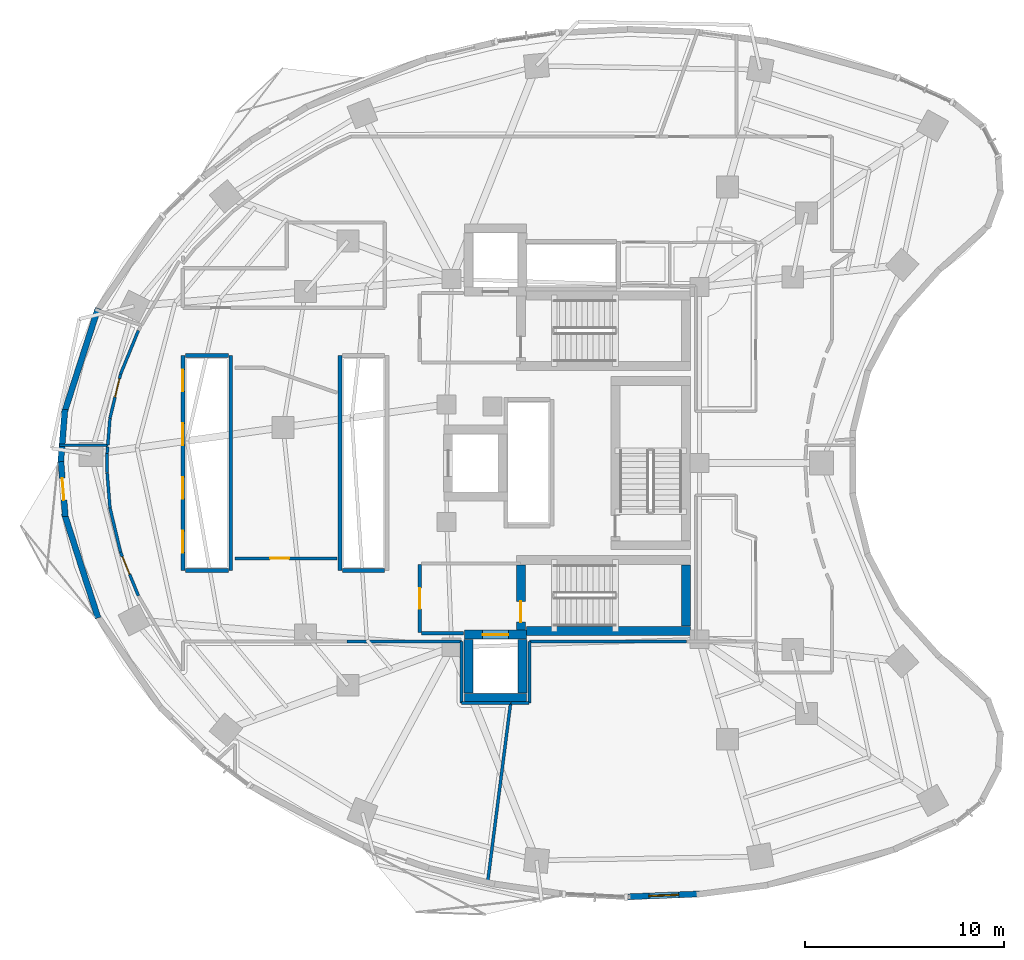
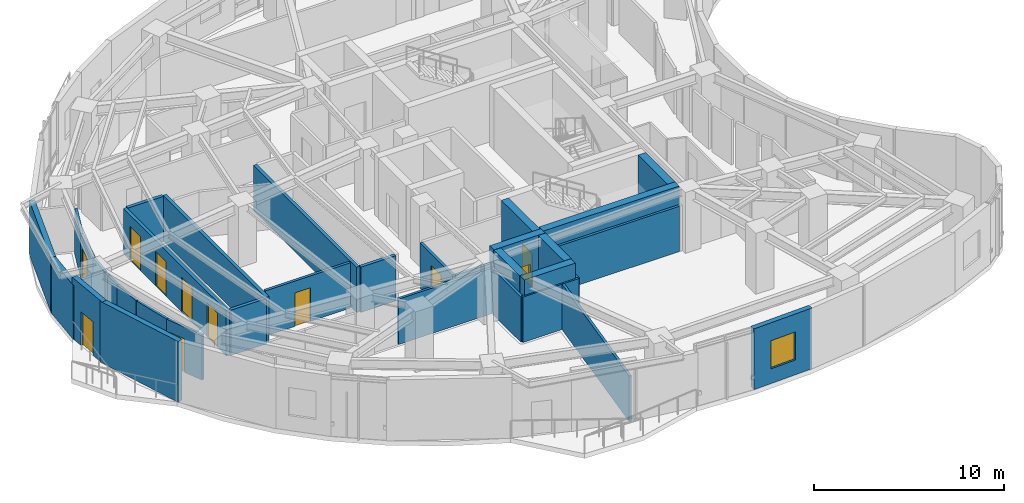
# One storey, part 7 of 13: 37 walls, 11 doors, 1 window, 12 openings.
"""IFC4 building model written with IfcOpenShell, lengths in metres."""

from ifc_helpers import new_model, si_unit, direction, frame, frame_2d, origin, place, context, subcontext, project, spatial, rectangle, extrude, material, layer, layer_set, type_object, element, fill, save


model = new_model("IFC4")

# Units and contexts
model_context = context("Model", 3, precision=1e-05, world=origin(), true_north=direction((0.0, 1.0)))
body_context = subcontext(model_context, "Body", "Model", "MODEL_VIEW")
ifc_project = project(units=[si_unit("LENGTHUNIT", "METRE"), si_unit("AREAUNIT", "SQUARE_METRE"), si_unit("VOLUMEUNIT", "CUBIC_METRE"), si_unit("PLANEANGLEUNIT", "RADIAN"), si_unit("MASSUNIT", "GRAM", prefix="KILO")], contexts=[model_context])

# Site, building, storey
site_placement = place(None, origin())
site = spatial("IfcSite", under=ifc_project, at=site_placement, CompositionType="ELEMENT")
building_placement = place(site_placement, origin())
building = spatial("IfcBuilding", under=site, at=building_placement, Name="Korentha Bioscience Tower", CompositionType="ELEMENT")
storey_placement = place(building_placement, frame((0.0, 0.0, 123.60009765625)))
storey = spatial("IfcBuildingStorey", under=building, at=storey_placement, Name="L28", CompositionType="ELEMENT", Elevation=123.60009765625)

# Wall, opening, door
ifc_material_1 = material(Name="Double-Stud Acoustic Gypsum", Category="gypsum")
ifc_layer_1 = layer(ifc_material_1, 0.14990234375, Name="Double-Stud Acoustic Gypsum")
ifc_layer_set_1 = layer_set([ifc_layer_1], Name="Double-Stud Acoustic Gypsum (IW-L150)")
wall_type_1 = type_object("IfcWallType", Name="Acoustic Laboratory Partition Wall 150", PredefinedType="PARTITIONING", material=ifc_layer_set_1)
wall_1_placement = place(storey_placement, frame((8.46630859375, 22.520263671875, 0.0), z_axis=(0.0, 0.0, 1.0), x_axis=(0.378306283753, -0.925680482495, 0.0)))
wall_1 = element("IfcWall", 1, at=wall_1_placement, inside=storey, type_object=wall_type_1, Name="L28 Biomechanical Motion Analysis Lab 02 Entrance Wall", PredefinedType="PARTITIONING", context=body_context, shape_type="SweptSolid", body=[
    extrude(rectangle(XDim=2.358154296875, YDim=0.14990234375, at=frame_2d((1.17919921875, 0.0))), origin(), (0.0, 0.0, 1.0), 2.909912109375),
])
opening_1_placement = place(wall_1_placement, frame((0.239990234375, 0.0, 0.0)))
opening_1 = element("IfcOpeningElement", 2, at=opening_1_placement, cuts=wall_1, Name="Opening ID-10L", PredefinedType="OPENING", context=body_context, shape_type="SweptSolid", body=[
    extrude(rectangle(XDim=0.949951171875, YDim=2.14990234375, at=frame_2d((0.47509765625, 1.074951171875))), frame((0.0, 0.08984375, 0.0), z_axis=(0.0, -1.0, 0.0), x_axis=(1.0, 0.0, 0.0)), (0.0, 0.0, 1.0), 0.1796875),
])
ifc_material_2 = material(Name="Phenolic Laminate Timber Core", Category="wood")
door_type_1 = type_object("IfcDoorType", Name="Laboratory Single Leaf Door 950x2150 Left", OperationType="SINGLE_SWING_LEFT", PredefinedType="DOOR", material=ifc_material_2)
door_1_placement = place(opening_1_placement, origin())
door_1 = element("IfcDoor", 3, at=door_1_placement, inside=storey, type_object=door_type_1, Name="L28 Biomechanical Motion Analysis Lab 02 Door", OperationType="SINGLE_SWING_LEFT", OverallHeight=2.14990234375, OverallWidth=0.949951171875, PredefinedType="DOOR", context=body_context, shape_type="SweptSolid", body=[
    extrude(rectangle(XDim=0.949951171875, YDim=2.14990234375, at=frame_2d((0.47509765625, 1.074951171875))), frame((0.0, 0.02490234375, 0.0), z_axis=(0.0, -1.0, 0.0), x_axis=(1.0, 0.0, 0.0)), (0.0, 0.0, 1.0), 0.050048828125),
])
fill(opening_1, door_1)

wall_2_placement = place(storey_placement, frame((8.4658203125, 31.478515625, 0.0), z_axis=(0.0, 0.0, 1.0), x_axis=(-0.233675196412, -0.972314713754, 0.0)))
wall_2 = element("IfcWall", 4, at=wall_2_placement, inside=storey, type_object=wall_type_1, Name="L28 Engineered Bio-Foundry Wet Lab 10 Entrance Wall", PredefinedType="PARTITIONING", context=body_context, shape_type="SweptSolid", body=[
    extrude(rectangle(XDim=2.291259765625, YDim=0.14990234375, at=frame_2d((1.1455078125, 0.0))), origin(), (0.0, 0.0, 1.0), 2.909912109375),
])
opening_2_placement = place(wall_2_placement, frame((0.239990234375, 0.0, 0.0)))
opening_2 = element("IfcOpeningElement", 5, at=opening_2_placement, cuts=wall_2, Name="Opening ID-10L", PredefinedType="OPENING", context=body_context, shape_type="SweptSolid", body=[
    extrude(rectangle(XDim=0.949951171875, YDim=2.14990234375, at=frame_2d((0.47509765625, 1.074951171875))), frame((0.0, 0.08984375, 0.0), z_axis=(0.0, -1.0, 0.0), x_axis=(1.0, 0.0, 0.0)), (0.0, 0.0, 1.0), 0.1796875),
])
door_2_placement = place(opening_2_placement, origin())
door_2 = element("IfcDoor", 6, at=door_2_placement, inside=storey, type_object=door_type_1, Name="L28 Engineered Bio-Foundry Wet Lab 10 Door", OperationType="SINGLE_SWING_LEFT", OverallHeight=2.14990234375, OverallWidth=0.949951171875, PredefinedType="DOOR", context=body_context, shape_type="SweptSolid", body=[
    extrude(rectangle(XDim=0.949951171875, YDim=2.14990234375, at=frame_2d((0.47509765625, 1.074951171875))), frame((0.0, 0.02490234375, 0.0), z_axis=(0.0, -1.0, 0.0), x_axis=(1.0, 0.0, 0.0)), (0.0, 0.0, 1.0), 0.050048828125),
])
fill(opening_2, door_2)

# Walls
wall_3_placement = place(storey_placement, frame((5.40625, 27.89794921875, 0.0), z_axis=(0.0, 0.0, 1.0), x_axis=(1.0, 0.0, 0.0)))
element("IfcWall", 7, at=wall_3_placement, inside=storey, type_object=wall_type_1, Name="L28 Interior Partition 016", PredefinedType="PARTITIONING", context=body_context, shape_type="SweptSolid", body=[
    extrude(rectangle(XDim=2.416748046875, YDim=0.14990234375, at=frame_2d((1.20849609375, 0.0))), origin(), (0.0, 0.0, 1.0), 2.909912109375),
])
wall_4_placement = place(storey_placement, frame((7.816650390625, 27.820068359375, 0.0), z_axis=(0.0, 0.0, 1.0), x_axis=(-0.078910750646, -0.996881684771, 0.0)))
element("IfcWall", 8, at=wall_4_placement, inside=storey, type_object=wall_type_1, Name="L28 Interior Partition 017", PredefinedType="PARTITIONING", context=body_context, shape_type="SweptSolid", body=[
    extrude(rectangle(XDim=0.337158203125, YDim=0.14990234375, at=frame_2d((0.16845703125, 0.0))), origin(), (0.0, 0.0, 1.0), 2.909912109375),
])
wall_5_placement = place(storey_placement, frame((7.7900390625, 27.48291015625, 0.0), z_axis=(0.0, 0.0, 1.0), x_axis=(0.0, -1.0, 0.0)))
element("IfcWall", 9, at=wall_5_placement, inside=storey, type_object=wall_type_1, Name="L28 Interior Partition 018", PredefinedType="PARTITIONING", context=body_context, shape_type="SweptSolid", body=[
    extrude(rectangle(XDim=0.9658203125, YDim=0.14990234375, at=frame_2d((0.48291015625, 0.0))), origin(), (0.0, 0.0, 1.0), 2.909912109375),
])
wall_6_placement = place(storey_placement, frame((7.7900390625, 26.51611328125, 0.0), z_axis=(0.0, 0.0, 1.0), x_axis=(0.079131522864, -0.996864184375, 0.0)))
element("IfcWall", 10, at=wall_6_placement, inside=storey, type_object=wall_type_1, Name="L28 Interior Partition 019", PredefinedType="PARTITIONING", context=body_context, shape_type="SweptSolid", body=[
    extrude(rectangle(XDim=1.77099609375, YDim=0.14990234375, at=frame_2d((0.885498046875, 0.0))), origin(), (0.0, 0.0, 1.0), 2.909912109375),
])
wall_7_placement = place(storey_placement, frame((7.930419921875, 24.749267578125, 0.0), z_axis=(0.0, 0.0, 1.0), x_axis=(0.233675196412, -0.972314713754, 0.0)))
element("IfcWall", 11, at=wall_7_placement, inside=storey, type_object=wall_type_1, Name="L28 Interior Partition 020", PredefinedType="PARTITIONING", context=body_context, shape_type="SweptSolid", body=[
    extrude(rectangle(XDim=2.291259765625, YDim=0.14990234375, at=frame_2d((1.1455078125, 0.0))), origin(), (0.0, 0.0, 1.0), 2.909912109375),
])
wall_8_placement = place(storey_placement, frame((19.84130859375, 18.048095703125, 0.0), z_axis=(0.0, 0.0, 1.0), x_axis=(1.0, 0.0, 0.0)))
element("IfcWall", 12, at=wall_8_placement, inside=storey, type_object=wall_type_1, Name="L28 Interior Partition 025", PredefinedType="PARTITIONING", context=body_context, shape_type="SweptSolid", body=[
    extrude(rectangle(XDim=5.758544921875, YDim=0.14990234375, at=frame_2d((2.87939453125, 0.0))), origin(), (0.0, 0.0, 1.0), 2.909912109375),
])
wall_9_placement = place(storey_placement, frame((25.60009765625, 18.0478515625, 0.0), z_axis=(0.0, 0.0, 1.0), x_axis=(0.0, -1.0, 0.0)))
element("IfcWall", 13, at=wall_9_placement, inside=storey, type_object=wall_type_1, Name="L28 Interior Partition 026", PredefinedType="PARTITIONING", context=body_context, shape_type="SweptSolid", body=[
    extrude(rectangle(XDim=3.09375, YDim=0.14990234375, at=frame_2d((1.546875, 0.0))), origin(), (0.0, 0.0, 1.0), 2.909912109375),
])
wall_10_placement = place(storey_placement, frame((25.60400390625, 14.949951171875, 0.0), z_axis=(0.0, 0.0, 1.0), x_axis=(1.0, 0.0, 0.0)))
element("IfcWall", 14, at=wall_10_placement, inside=storey, type_object=wall_type_1, Name="L28 Interior Partition 027", PredefinedType="PARTITIONING", context=body_context, shape_type="SweptSolid", body=[
    extrude(rectangle(XDim=2.4580078125, YDim=0.14990234375, at=frame_2d((1.22900390625, 0.0))), origin(), (0.0, 0.0, 1.0), 2.909912109375),
])
wall_11_placement = place(storey_placement, frame((28.06201171875, 14.94970703125, 0.0), z_axis=(0.0, 0.0, 1.0), x_axis=(-0.12706608802, -0.991894253071, 0.0)))
element("IfcWall", 15, at=wall_11_placement, inside=storey, type_object=wall_type_1, Name="L28 Interior Partition 028", PredefinedType="PARTITIONING", context=body_context, shape_type="SweptSolid", body=[
    extrude(rectangle(XDim=9.216796875, YDim=0.14990234375, at=frame_2d((4.6083984375, 0.0))), origin(), (0.0, 0.0, 1.0), 2.909912109375),
])
wall_12_placement = place(storey_placement, frame((29.0, 14.9541015625, 0.0), z_axis=(0.0, 0.0, 1.0), x_axis=(0.0, 1.0, 0.0)))
element("IfcWall", 16, at=wall_12_placement, inside=storey, type_object=wall_type_1, Name="L28 Interior Partition 031", PredefinedType="PARTITIONING", context=body_context, shape_type="SweptSolid", body=[
    extrude(rectangle(XDim=3.09375, YDim=0.14990234375, at=frame_2d((1.546875, 0.0))), origin(), (0.0, 0.0, 1.0), 2.909912109375),
])
wall_13_placement = place(storey_placement, frame((29.0, 18.048095703125, 0.0), z_axis=(0.0, 0.0, 1.0), x_axis=(1.0, 0.0, 0.0)))
element("IfcWall", 17, at=wall_13_placement, inside=storey, type_object=wall_type_1, Name="L28 Interior Partition 032", PredefinedType="PARTITIONING", context=body_context, shape_type="SweptSolid", body=[
    extrude(rectangle(XDim=7.906005859375, YDim=0.14990234375, at=frame_2d((3.953125, 0.0))), origin(), (0.0, 0.0, 1.0), 2.909912109375),
])
wall_14_placement = place(storey_placement, frame((28.072021484375, 14.949951171875, 0.0), z_axis=(0.0, 0.0, 1.0), x_axis=(1.0, 0.0, 0.0)))
element("IfcWall", 18, at=wall_14_placement, inside=storey, type_object=wall_type_1, Name="L28 Interior Partition 043", PredefinedType="PARTITIONING", context=body_context, shape_type="SweptSolid", body=[
    extrude(rectangle(XDim=0.923828125, YDim=0.14990234375, at=frame_2d((0.4619140625, 0.0))), origin(), (0.0, 0.0, 1.0), 2.909912109375),
])
wall_15_placement = place(storey_placement, frame((9.3583984375, 33.66259765625, 0.0), z_axis=(0.0, 0.0, 1.0), x_axis=(-0.378306283753, -0.925680482495, 0.0)))
element("IfcWall", 19, at=wall_15_placement, inside=storey, type_object=wall_type_1, Name="L28 Interior Partition 082", PredefinedType="PARTITIONING", context=body_context, shape_type="SweptSolid", body=[
    extrude(rectangle(XDim=2.358154296875, YDim=0.14990234375, at=frame_2d((1.17919921875, 0.0))), origin(), (0.0, 0.0, 1.0), 2.909912109375),
])
wall_16_placement = place(storey_placement, frame((7.93017578125, 29.249267578125, 0.0), z_axis=(0.0, 0.0, 1.0), x_axis=(-0.079110576853, -0.996865846857, 0.0)))
element("IfcWall", 20, at=wall_16_placement, inside=storey, type_object=wall_type_1, Name="L28 Interior Partition 083", PredefinedType="PARTITIONING", context=body_context, shape_type="SweptSolid", body=[
    extrude(rectangle(XDim=1.345458984375, YDim=0.14990234375, at=frame_2d((0.6728515625, 0.0))), origin(), (0.0, 0.0, 1.0), 2.909912109375),
])

# Wall, opening, door
ifc_material_3 = material(Name="Gypsum-Clad Steel Stud", Category="steel")
ifc_layer_2 = layer(ifc_material_3, 0.159912109375, Name="Gypsum-Clad Steel Stud")
ifc_layer_set_2 = layer_set([ifc_layer_2], Name="Gypsum-Clad Steel Stud (IW-C160)")
wall_type_2 = type_object("IfcWallType", Name="Fire-Rated Corridor Partition Wall 160", PredefinedType="PARTITIONING", material=ifc_layer_set_2)
wall_17_placement = place(storey_placement, frame((23.5, 18.5, 0.0), z_axis=(0.0, 0.0, 1.0), x_axis=(0.0, 1.0, 0.0)))
wall_17 = element("IfcWall", 21, at=wall_17_placement, inside=storey, type_object=wall_type_2, Name="L28 FFLS-CW Rated Enclosure Wall", PredefinedType="PARTITIONING", context=body_context, shape_type="SweptSolid", body=[
    extrude(rectangle(XDim=3.39990234375, YDim=0.159912109375, at=frame_2d((1.699951171875, 0.0))), origin(), (0.0, 0.0, 1.0), 2.909912109375),
])
opening_3_placement = place(wall_17_placement, frame((1.175048828125, 0.0, 0.0)))
opening_3 = element("IfcOpeningElement", 22, at=opening_3_placement, cuts=wall_17, Name="Opening FD-90L", PredefinedType="OPENING", context=body_context, shape_type="SweptSolid", body=[
    extrude(rectangle(XDim=1.050048828125, YDim=2.14990234375, at=frame_2d((0.52490234375, 1.074951171875))), frame((0.0, 0.0947265625, 0.0), z_axis=(0.0, -1.0, 0.0), x_axis=(1.0, 0.0, 0.0)), (0.0, 0.0, 1.0), 0.189697265625),
])
ifc_material_4 = material(Name="Powder-Coated Fire-Rated Steel", Category="steel")
door_type_2 = type_object("IfcDoorType", Name="Stairwell Fire Exit Door 1050x2150 Left", OperationType="SINGLE_SWING_LEFT", PredefinedType="DOOR", material=ifc_material_4)
door_3_placement = place(opening_3_placement, origin())
door_3 = element("IfcDoor", 23, at=door_3_placement, inside=storey, type_object=door_type_2, Name="L28 South Firefighting Lobby Door", OperationType="SINGLE_SWING_LEFT", OverallHeight=2.14990234375, OverallWidth=1.050048828125, PredefinedType="DOOR", context=body_context, shape_type="SweptSolid", body=[
    extrude(rectangle(XDim=1.050048828125, YDim=2.14990234375, at=frame_2d((0.52490234375, 1.074951171875))), frame((0.0, 0.02490234375, 0.0), z_axis=(0.0, -1.0, 0.0), x_axis=(1.0, 0.0, 0.0)), (0.0, 0.0, 1.0), 0.050048828125),
])
fill(opening_3, door_3)

# Wall
wall_18_placement = place(storey_placement, frame((23.580078125, 18.449951171875, 0.0), z_axis=(0.0, 0.0, 1.0), x_axis=(1.0, 0.0, 0.0)))
element("IfcWall", 24, at=wall_18_placement, inside=storey, type_object=wall_type_2, Name="L28 Firefighting Lobby Return Wall FFLS-S", PredefinedType="PARTITIONING", context=body_context, shape_type="SweptSolid", body=[
    extrude(rectangle(XDim=2.119873046875, YDim=0.159912109375, at=frame_2d((1.06005859375, 0.0))), origin(), (0.0, 0.0, 1.0), 2.909912109375),
])

# Wall, opening, door
wall_19_placement = place(storey_placement, frame((19.340087890625, 22.2099609375, 0.0), z_axis=(0.0, 0.0, 1.0), x_axis=(-1.0, 0.0, 0.0)))
wall_19 = element("IfcWall", 25, at=wall_19_placement, inside=storey, type_object=wall_type_2, Name="L28 Biospecimen Archive Store 01 Entrance Wall", PredefinedType="PARTITIONING", context=body_context, shape_type="SweptSolid", body=[
    extrude(rectangle(XDim=5.13818359375, YDim=0.159912109375, at=frame_2d((2.569091796875, 0.0))), origin(), (0.0, 0.0, 1.0), 2.909912109375),
])
opening_4_placement = place(wall_19_placement, frame((2.40625, 0.0, 0.0)))
opening_4 = element("IfcOpeningElement", 26, at=opening_4_placement, cuts=wall_19, Name="Opening ID-10R", PredefinedType="OPENING", context=body_context, shape_type="SweptSolid", body=[
    extrude(rectangle(XDim=0.949951171875, YDim=2.14990234375, at=frame_2d((0.47509765625, 1.074951171875))), frame((0.0, 0.0947265625, 0.0), z_axis=(0.0, -1.0, 0.0), x_axis=(1.0, 0.0, 0.0)), (0.0, 0.0, 1.0), 0.189697265625),
])
door_type_3 = type_object("IfcDoorType", Name="Laboratory Single Leaf Door 950x2150 Right", OperationType="SINGLE_SWING_RIGHT", PredefinedType="DOOR", material=ifc_material_2)
door_4_placement = place(opening_4_placement, origin())
door_4 = element("IfcDoor", 27, at=door_4_placement, inside=storey, type_object=door_type_3, Name="L28 Biospecimen Archive Store 01 Door", OperationType="SINGLE_SWING_RIGHT", OverallHeight=2.14990234375, OverallWidth=0.949951171875, PredefinedType="DOOR", context=body_context, shape_type="SweptSolid", body=[
    extrude(rectangle(XDim=0.949951171875, YDim=2.14990234375, at=frame_2d((0.47509765625, 1.074951171875))), frame((0.0, 0.02490234375, 0.0), z_axis=(0.0, -1.0, 0.0), x_axis=(1.0, 0.0, 0.0)), (0.0, 0.0, 1.0), 0.050048828125),
])
fill(opening_4, door_4)

ifc_material_5 = material(Name="Honed Limestone Precast Concrete C40", Category="masonry")
ifc_layer_3 = layer(ifc_material_5, 0.300048828125, Name="Honed Limestone Precast Concrete C40")
ifc_layer_set_3 = layer_set([ifc_layer_3], Name="Honed Limestone Precast Concrete C40 (EW-ST300)")
wall_type_3 = type_object("IfcWallType", Name="Honed Limestone Cavity Spandrel Wall 300", PredefinedType="STANDARD", material=ifc_layer_set_3)
wall_20_placement = place(storey_placement, frame((5.46875, 27.072509765625, 0.0), z_axis=(0.0, 0.0, 1.0), x_axis=(0.079056321743, -0.996870151019, 0.0)))
wall_20 = element("IfcWall", 28, at=wall_20_placement, inside=storey, type_object=wall_type_3, Name="L28 Balcony Threshold Wall 02", PredefinedType="STANDARD", context=body_context, shape_type="SweptSolid", body=[
    extrude(rectangle(XDim=2.7607421875, YDim=0.300048828125, at=frame_2d((1.38037109375, 0.0))), origin(), (0.0, 0.0, 1.0), 3.89990234375),
])
opening_5_placement = place(wall_20_placement, frame((0.830322265625, 0.0, 0.0)))
opening_5 = element("IfcOpeningElement", 29, at=opening_5_placement, cuts=wall_20, Name="Opening BD-11R", PredefinedType="OPENING", context=body_context, shape_type="SweptSolid", body=[
    extrude(rectangle(XDim=1.10009765625, YDim=2.14990234375, at=frame_2d((0.550048828125, 1.074951171875))), frame((0.0, 0.1650390625, 0.0), z_axis=(0.0, -1.0, 0.0), x_axis=(1.0, 0.0, 0.0)), (0.0, 0.0, 1.0), 0.329833984375),
])
ifc_material_6 = material(Name="Thermally Broken Glazed Aluminium", Category="aluminium")
door_type_4 = type_object("IfcDoorType", Name="Balcony Terrace Glazed Door 1100x2150 Right", OperationType="SINGLE_SWING_RIGHT", PredefinedType="DOOR", material=ifc_material_6)
door_5_placement = place(opening_5_placement, origin())
door_5 = element("IfcDoor", 30, at=door_5_placement, inside=storey, type_object=door_type_4, Name="L28 Balcony Access Door 02", OperationType="SINGLE_SWING_RIGHT", OverallHeight=2.14990234375, OverallWidth=1.10009765625, PredefinedType="DOOR", context=body_context, shape_type="SweptSolid", body=[
    extrude(rectangle(XDim=1.10009765625, YDim=2.14990234375, at=frame_2d((0.550048828125, 1.074951171875))), frame((0.0, 0.02490234375, 0.0), z_axis=(0.0, -1.0, 0.0), x_axis=(1.0, 0.0, 0.0)), (0.0, 0.0, 1.0), 0.050048828125),
])
fill(opening_5, door_5)

# Wall, opening, window
wall_21_placement = place(storey_placement, frame((33.961181640625, 5.210205078125, 0.0), z_axis=(0.0, 0.0, 1.0), x_axis=(0.999210691503, 0.039723972445, 0.0)))
wall_21 = element("IfcWall", 31, at=wall_21_placement, inside=storey, type_object=wall_type_3, Name="L28 Honed Limestone Spandrel Wall 32", PredefinedType="STANDARD", context=body_context, shape_type="SweptSolid", body=[
    extrude(rectangle(XDim=3.595458984375, YDim=0.300048828125, at=frame_2d((1.7978515625, 0.0))), origin(), (0.0, 0.0, 1.0), 3.89990234375),
])
opening_6_placement = place(wall_21_placement, frame((1.047607421875, 0.0, 0.949951171875)))
opening_6 = element("IfcOpeningElement", 32, at=opening_6_placement, cuts=wall_21, Name="Opening WN-02", PredefinedType="OPENING", context=body_context, shape_type="SweptSolid", body=[
    extrude(rectangle(XDim=1.5, YDim=1.800048828125, at=frame_2d((0.75, 0.89990234375))), frame((0.0, 0.1650390625, 0.0), z_axis=(0.0, -1.0, 0.0), x_axis=(1.0, 0.0, 0.0)), (0.0, 0.0, 1.0), 0.329833984375),
])
ifc_material_7 = material(Name="Thermally Broken Aluminium Triple Glazing", Category="aluminium")
window_type = type_object("IfcWindowType", Name="Acoustic Operable Office Window 1500x1800", PartitioningType="DOUBLE_PANEL_VERTICAL", PredefinedType="WINDOW", material=ifc_material_7)
window_placement = place(opening_6_placement, origin())
window = element("IfcWindow", 33, at=window_placement, inside=storey, type_object=window_type, Name="L28 Facade Window 32", OverallHeight=1.800048828125, OverallWidth=1.5, PartitioningType="DOUBLE_PANEL_VERTICAL", PredefinedType="WINDOW", context=body_context, shape_type="SweptSolid", body=[
    extrude(rectangle(XDim=1.5, YDim=1.800048828125, at=frame_2d((0.75, 0.89990234375))), frame((0.0, 0.030029296875, 0.0), z_axis=(0.0, -1.0, 0.0), x_axis=(1.0, 0.0, 0.0)), (0.0, 0.0, 1.0), 0.06005859375),
])
fill(opening_6, window)

# Walls
wall_22_placement = place(storey_placement, frame((7.333984375, 34.779296875, 0.0), z_axis=(0.0, 0.0, 1.0), x_axis=(-0.307599470659, -0.951515930319, 0.0)))
element("IfcWall", 34, at=wall_22_placement, inside=storey, type_object=wall_type_3, Name="L28 Limestone Perimeter Closure Wall 16", PredefinedType="STANDARD", context=body_context, shape_type="SweptSolid", body=[
    extrude(rectangle(XDim=5.534423828125, YDim=0.300048828125, at=frame_2d((2.76708984375, 0.0))), origin(), (0.0, 0.0, 1.0), 3.469970703125),
])
wall_23_placement = place(storey_placement, frame((5.668701171875, 29.701171875, 0.0), z_axis=(0.0, 0.0, 1.0), x_axis=(-0.079062676622, -0.996869647028, 0.0)))
element("IfcWall", 35, at=wall_23_placement, inside=storey, type_object=wall_type_3, Name="L28 Limestone Perimeter Closure Wall 18", PredefinedType="STANDARD", context=body_context, shape_type="SweptSolid", body=[
    extrude(rectangle(XDim=2.80078125, YDim=0.300048828125, at=frame_2d((1.400390625, 0.0))), origin(), (0.0, 0.0, 1.0), 3.469970703125),
])
wall_24_placement = place(storey_placement, frame((5.631591796875, 24.48681640625, 0.0), z_axis=(0.0, 0.0, 1.0), x_axis=(0.307599470659, -0.951515930319, 0.0)))
element("IfcWall", 36, at=wall_24_placement, inside=storey, type_object=wall_type_3, Name="L28 Limestone Perimeter Closure Wall 20", PredefinedType="STANDARD", context=body_context, shape_type="SweptSolid", body=[
    extrude(rectangle(XDim=5.534423828125, YDim=0.300048828125, at=frame_2d((2.76708984375, 0.0))), origin(), (0.0, 0.0, 1.0), 3.89990234375),
])

# Wall, openings, doors
ifc_material_8 = material(Name="Autoclaved Aerated Concrete Block C25", Category="concrete")
ifc_layer_4 = layer(ifc_material_8, 0.199951171875, Name="Autoclaved Aerated Concrete Block C25")
ifc_layer_set_4 = layer_set([ifc_layer_4], Name="Autoclaved Aerated Concrete Block C25 (IW-S200)")
wall_type_4 = type_object("IfcWallType", Name="Lift and Riser Shaft Enclosure Wall 200", PredefinedType="PARTITIONING", material=ifc_layer_set_4)
wall_25_placement = place(storey_placement, frame((11.60009765625, 21.60009765625, 0.0), z_axis=(0.0, 0.0, 1.0), x_axis=(0.0, 1.0, 0.0)))
wall_25 = element("IfcWall", 37, at=wall_25_placement, inside=storey, type_object=wall_type_4, Name="L28 Lift Bank LOW Shaft Wall -X", PredefinedType="PARTITIONING", context=body_context, shape_type="SweptSolid", body=[
    extrude(rectangle(XDim=10.7998046875, YDim=0.199951171875, at=frame_2d((5.39990234375, 0.0))), origin(), (0.0, 0.0, 1.0), 2.909912109375),
])
opening_7_placement = place(wall_25_placement, frame((0.89990234375, 0.0, 0.0)))
opening_7 = element("IfcOpeningElement", 38, at=opening_7_placement, cuts=wall_25, Name="Opening LD-11", PredefinedType="OPENING", context=body_context, shape_type="SweptSolid", body=[
    extrude(rectangle(XDim=1.10009765625, YDim=2.199951171875, at=frame_2d((0.550048828125, 1.10009765625))), frame((0.0, 0.11474609375, 0.0), z_axis=(0.0, -1.0, 0.0), x_axis=(1.0, 0.0, 0.0)), (0.0, 0.0, 1.0), 0.229736328125),
])
opening_8_placement = place(wall_25_placement, frame((3.60009765625, 0.0, 0.0)))
opening_8 = element("IfcOpeningElement", 39, at=opening_8_placement, cuts=wall_25, Name="Opening LD-11", PredefinedType="OPENING", context=body_context, shape_type="SweptSolid", body=[
    extrude(rectangle(XDim=1.10009765625, YDim=2.199951171875, at=frame_2d((0.550048828125, 1.10009765625))), frame((0.0, 0.11474609375, 0.0), z_axis=(0.0, -1.0, 0.0), x_axis=(1.0, 0.0, 0.0)), (0.0, 0.0, 1.0), 0.229736328125),
])
opening_9_placement = place(wall_25_placement, frame((6.300048828125, 0.0, 0.0)))
opening_9 = element("IfcOpeningElement", 40, at=opening_9_placement, cuts=wall_25, Name="Opening LD-11", PredefinedType="OPENING", context=body_context, shape_type="SweptSolid", body=[
    extrude(rectangle(XDim=1.10009765625, YDim=2.199951171875, at=frame_2d((0.550048828125, 1.10009765625))), frame((0.0, 0.11474609375, 0.0), z_axis=(0.0, -1.0, 0.0), x_axis=(1.0, 0.0, 0.0)), (0.0, 0.0, 1.0), 0.229736328125),
])
opening_10_placement = place(wall_25_placement, frame((9.0, 0.0, 0.0)))
opening_10 = element("IfcOpeningElement", 41, at=opening_10_placement, cuts=wall_25, Name="Opening LD-11", PredefinedType="OPENING", context=body_context, shape_type="SweptSolid", body=[
    extrude(rectangle(XDim=1.10009765625, YDim=2.199951171875, at=frame_2d((0.550048828125, 1.10009765625))), frame((0.0, 0.11474609375, 0.0), z_axis=(0.0, -1.0, 0.0), x_axis=(1.0, 0.0, 0.0)), (0.0, 0.0, 1.0), 0.229736328125),
])
ifc_material_9 = material(Name="Brushed Stainless Steel 304", Category="steel")
door_type_5 = type_object("IfcDoorType", Name="Passenger Lift Sliding Landing Door 1100x2200", OperationType="DOUBLE_DOOR_SLIDING", PredefinedType="DOOR", material=ifc_material_9)
door_6_placement = place(opening_7_placement, origin())
door_6 = element("IfcDoor", 42, at=door_6_placement, inside=storey, type_object=door_type_5, Name="L28 PL-L1 Sliding Lift Landing Door", OperationType="DOUBLE_DOOR_SLIDING", OverallHeight=2.199951171875, OverallWidth=1.10009765625, PredefinedType="DOOR", context=body_context, shape_type="SweptSolid", body=[
    extrude(rectangle(XDim=1.10009765625, YDim=2.199951171875, at=frame_2d((0.550048828125, 1.10009765625))), frame((0.0, 0.02490234375, 0.0), z_axis=(0.0, -1.0, 0.0), x_axis=(1.0, 0.0, 0.0)), (0.0, 0.0, 1.0), 0.050048828125),
])
fill(opening_7, door_6)
door_7_placement = place(opening_8_placement, origin())
door_7 = element("IfcDoor", 43, at=door_7_placement, inside=storey, type_object=door_type_5, Name="L28 PL-L2 Sliding Lift Landing Door", OperationType="DOUBLE_DOOR_SLIDING", OverallHeight=2.199951171875, OverallWidth=1.10009765625, PredefinedType="DOOR", context=body_context, shape_type="SweptSolid", body=[
    extrude(rectangle(XDim=1.10009765625, YDim=2.199951171875, at=frame_2d((0.550048828125, 1.10009765625))), frame((0.0, 0.02490234375, 0.0), z_axis=(0.0, -1.0, 0.0), x_axis=(1.0, 0.0, 0.0)), (0.0, 0.0, 1.0), 0.050048828125),
])
fill(opening_8, door_7)
door_8_placement = place(opening_9_placement, origin())
door_8 = element("IfcDoor", 44, at=door_8_placement, inside=storey, type_object=door_type_5, Name="L28 PL-L3 Sliding Lift Landing Door", OperationType="DOUBLE_DOOR_SLIDING", OverallHeight=2.199951171875, OverallWidth=1.10009765625, PredefinedType="DOOR", context=body_context, shape_type="SweptSolid", body=[
    extrude(rectangle(XDim=1.10009765625, YDim=2.199951171875, at=frame_2d((0.550048828125, 1.10009765625))), frame((0.0, 0.02490234375, 0.0), z_axis=(0.0, -1.0, 0.0), x_axis=(1.0, 0.0, 0.0)), (0.0, 0.0, 1.0), 0.050048828125),
])
fill(opening_9, door_8)
door_9_placement = place(opening_10_placement, origin())
door_9 = element("IfcDoor", 45, at=door_9_placement, inside=storey, type_object=door_type_5, Name="L28 PL-L4 Sliding Lift Landing Door", OperationType="DOUBLE_DOOR_SLIDING", OverallHeight=2.199951171875, OverallWidth=1.10009765625, PredefinedType="DOOR", context=body_context, shape_type="SweptSolid", body=[
    extrude(rectangle(XDim=1.10009765625, YDim=2.199951171875, at=frame_2d((0.550048828125, 1.10009765625))), frame((0.0, 0.02490234375, 0.0), z_axis=(0.0, -1.0, 0.0), x_axis=(1.0, 0.0, 0.0)), (0.0, 0.0, 1.0), 0.050048828125),
])
fill(opening_10, door_9)

# Walls
wall_26_placement = place(storey_placement, frame((14.0, 21.60009765625, 0.0), z_axis=(0.0, 0.0, 1.0), x_axis=(0.0, 1.0, 0.0)))
element("IfcWall", 46, at=wall_26_placement, inside=storey, type_object=wall_type_4, Name="L28 Lift Bank LOW Shaft Wall +X", PredefinedType="PARTITIONING", context=body_context, shape_type="SweptSolid", body=[
    extrude(rectangle(XDim=10.7998046875, YDim=0.199951171875, at=frame_2d((5.39990234375, 0.0))), origin(), (0.0, 0.0, 1.0), 2.909912109375),
])
for number, where, z_axis, x_axis, name in (
    (47, (11.719970703125, 21.60009765625, 0.0), (0.0, 0.0, 1.0), (1.0, 0.0, 0.0), "L28 Lift Bank LOW Shaft Wall -Y"),
    (48, (11.719970703125, 32.39990234375, 0.0), (0.0, 0.0, 1.0), (1.0, 0.0, 0.0), "L28 Lift Bank LOW Shaft Wall +Y"),
):
    element("IfcWall", number, at=place(storey_placement, frame(where, z_axis=z_axis, x_axis=x_axis)), inside=storey, type_object=wall_type_4, Name=name, PredefinedType="PARTITIONING", context=body_context, shape_type="SweptSolid", body=[
        extrude(rectangle(XDim=2.159912109375, YDim=0.199951171875, at=frame_2d((1.080078125, 0.0))), origin(), (0.0, 0.0, 1.0), 2.909912109375),
    ])
wall_27_placement = place(storey_placement, frame((19.5, 21.60009765625, 0.0), z_axis=(0.0, 0.0, 1.0), x_axis=(0.0, 1.0, 0.0)))
element("IfcWall", 49, at=wall_27_placement, inside=storey, type_object=wall_type_4, Name="L28 Lift Bank MID Shaft Wall -X", PredefinedType="PARTITIONING", context=body_context, shape_type="SweptSolid", body=[
    extrude(rectangle(XDim=10.7998046875, YDim=0.199951171875, at=frame_2d((5.39990234375, 0.0))), origin(), (0.0, 0.0, 1.0), 2.909912109375),
])
wall_28_placement = place(storey_placement, frame((19.6201171875, 21.60009765625, 0.0), z_axis=(0.0, 0.0, 1.0), x_axis=(1.0, 0.0, 0.0)))
element("IfcWall", 50, at=wall_28_placement, inside=storey, type_object=wall_type_4, Name="L28 Lift Bank MID Shaft Wall -Y", PredefinedType="PARTITIONING", context=body_context, shape_type="SweptSolid", body=[
    extrude(rectangle(XDim=2.10986328125, YDim=0.199951171875, at=frame_2d((1.054931640625, 0.0))), origin(), (0.0, 0.0, 1.0), 2.909912109375),
])
ifc_material_10 = material(Name="Concrete C80", Category="concrete")
ifc_layer_5 = layer(ifc_material_10, 0.449951171875, Name="Concrete C80")
ifc_layer_set_5 = layer_set([ifc_layer_5], Name="Concrete C80 (CW-C80)")
wall_type_5 = type_object("IfcWallType", Name="Lower Core Shear Wall 450", PredefinedType="SHEAR", material=ifc_layer_set_5)
wall_29_placement = place(storey_placement, frame((28.85205078125, 18.574951171875, 0.0), z_axis=(0.0, 0.0, 1.0), x_axis=(1.0, 0.0, 0.0)))
element("IfcWall", 51, at=wall_29_placement, inside=storey, type_object=wall_type_5, Name="L28 Core Shear Wall ST2-S", PredefinedType="SHEAR", context=body_context, shape_type="SweptSolid", body=[
    extrude(rectangle(XDim=8.248046875, YDim=0.449951171875, at=frame_2d((4.1240234375, 0.0))), origin(), (0.0, 0.0, 1.0), 3.89990234375),
])
wall_30_placement = place(storey_placement, frame((36.875, 18.81005859375, 0.0), z_axis=(0.0, 0.0, 1.0), x_axis=(0.0, 1.0, 0.0)))
element("IfcWall", 52, at=wall_30_placement, inside=storey, type_object=wall_type_5, Name="L28 Core Shear Wall ST2-E", PredefinedType="SHEAR", context=body_context, shape_type="SweptSolid", body=[
    extrude(rectangle(XDim=3.079833984375, YDim=0.449951171875, at=frame_2d((1.5400390625, 0.0))), origin(), (0.0, 0.0, 1.0), 3.89990234375),
])

# Wall, opening, door
wall_31_placement = place(storey_placement, frame((28.574951171875, 18.60693359375, 0.0), z_axis=(0.0, 0.0, 1.0), x_axis=(0.0, 1.0, 0.0)))
wall_31 = element("IfcWall", 53, at=wall_31_placement, inside=storey, type_object=wall_type_5, Name="L28 Core Shear Wall ST2-W", PredefinedType="SHEAR", context=body_context, shape_type="SweptSolid", body=[
    extrude(rectangle(XDim=3.282958984375, YDim=0.449951171875, at=frame_2d((1.6416015625, 0.0))), origin(), (0.0, 0.0, 1.0), 3.89990234375),
])
opening_11_placement = place(wall_31_placement, frame((0.403076171875, 0.0, 0.0)))
opening_11 = element("IfcOpeningElement", 54, at=opening_11_placement, cuts=wall_31, Name="Opening FD-90L", PredefinedType="OPENING", context=body_context, shape_type="SweptSolid", body=[
    extrude(rectangle(XDim=1.050048828125, YDim=2.14990234375, at=frame_2d((0.52490234375, 1.074951171875))), frame((0.0, 0.23974609375, 0.0), z_axis=(0.0, -1.0, 0.0), x_axis=(1.0, 0.0, 0.0)), (0.0, 0.0, 1.0), 0.479736328125),
])
door_10_placement = place(opening_11_placement, origin())
door_10 = element("IfcDoor", 55, at=door_10_placement, inside=storey, type_object=door_type_2, Name="L28 ST-2 Fire Exit Stair Door", OperationType="SINGLE_SWING_LEFT", OverallHeight=2.14990234375, OverallWidth=1.050048828125, PredefinedType="DOOR", context=body_context, shape_type="SweptSolid", body=[
    extrude(rectangle(XDim=1.050048828125, YDim=2.14990234375, at=frame_2d((0.52490234375, 1.074951171875))), frame((0.0, 0.02490234375, 0.0), z_axis=(0.0, -1.0, 0.0), x_axis=(1.0, 0.0, 0.0)), (0.0, 0.0, 1.0), 0.050048828125),
])
fill(opening_11, door_10)

# Wall
wall_32_placement = place(storey_placement, frame((25.75, 15.199951171875, 0.0), z_axis=(0.0, 0.0, 1.0), x_axis=(1.0, 0.0, 0.0)))
element("IfcWall", 56, at=wall_32_placement, inside=storey, type_object=wall_type_5, Name="L28 Core Shear Wall FFL1-S", PredefinedType="SHEAR", context=body_context, shape_type="SweptSolid", body=[
    extrude(rectangle(XDim=3.10009765625, YDim=0.449951171875, at=frame_2d((1.550048828125, 0.0))), origin(), (0.0, 0.0, 1.0), 3.89990234375),
])

# Wall, opening, door
wall_33_placement = place(storey_placement, frame((25.75, 18.3798828125, 0.0), z_axis=(0.0, 0.0, 1.0), x_axis=(1.0, 0.0, 0.0)))
wall_33 = element("IfcWall", 57, at=wall_33_placement, inside=storey, type_object=wall_type_5, Name="L28 Core Shear Wall FFL1-N", PredefinedType="SHEAR", context=body_context, shape_type="SweptSolid", body=[
    extrude(rectangle(XDim=3.10009765625, YDim=0.449951171875, at=frame_2d((1.550048828125, 0.0))), origin(), (0.0, 0.0, 1.0), 3.89990234375),
])
opening_12_placement = place(wall_33_placement, frame((0.89990234375, 0.0, 0.0)))
opening_12 = element("IfcOpeningElement", 58, at=opening_12_placement, cuts=wall_33, Name="Opening LD-13", PredefinedType="OPENING", context=body_context, shape_type="SweptSolid", body=[
    extrude(rectangle(XDim=1.300048828125, YDim=2.199951171875, at=frame_2d((0.64990234375, 1.10009765625))), frame((0.0, 0.23974609375, 0.0), z_axis=(0.0, -1.0, 0.0), x_axis=(1.0, 0.0, 0.0)), (0.0, 0.0, 1.0), 0.479736328125),
])
ifc_material_11 = material(Name="Brushed Stainless Steel 316", Category="steel")
door_type_6 = type_object("IfcDoorType", Name="Service & Firefighting Lift Landing Door 1300x2300", OperationType="DOUBLE_DOOR_SLIDING", PredefinedType="DOOR", material=ifc_material_11)
door_11_placement = place(opening_12_placement, origin())
door_11 = element("IfcDoor", 59, at=door_11_placement, inside=storey, type_object=door_type_6, Name="L28 FFL-1 Sliding Lift Landing Door", OperationType="DOUBLE_DOOR_SLIDING", OverallHeight=2.199951171875, OverallWidth=1.300048828125, PredefinedType="DOOR", context=body_context, shape_type="SweptSolid", body=[
    extrude(rectangle(XDim=1.300048828125, YDim=2.199951171875, at=frame_2d((0.64990234375, 1.10009765625))), frame((0.0, 0.02490234375, 0.0), z_axis=(0.0, -1.0, 0.0), x_axis=(1.0, 0.0, 0.0)), (0.0, 0.0, 1.0), 0.050048828125),
])
fill(opening_12, door_11)

# Walls
for number, where, z_axis, x_axis, name in (
    (60, (25.949951171875, 15.43994140625, 0.0), (0.0, 0.0, 1.0), (0.0, 1.0, 0.0), "L28 Core Shear Wall FFL1-W"),
    (61, (28.64990234375, 15.43994140625, 0.0), (0.0, 0.0, 1.0), (0.0, 1.0, 0.0), "L28 Core Shear Wall FFL1-E"),
):
    element("IfcWall", number, at=place(storey_placement, frame(where, z_axis=z_axis, x_axis=x_axis)), inside=storey, type_object=wall_type_5, Name=name, PredefinedType="SHEAR", context=body_context, shape_type="SweptSolid", body=[
        extrude(rectangle(XDim=2.699951171875, YDim=0.449951171875, at=frame_2d((1.35009765625, 0.0))), origin(), (0.0, 0.0, 1.0), 3.89990234375),
    ])

save(model, "model.ifc")
